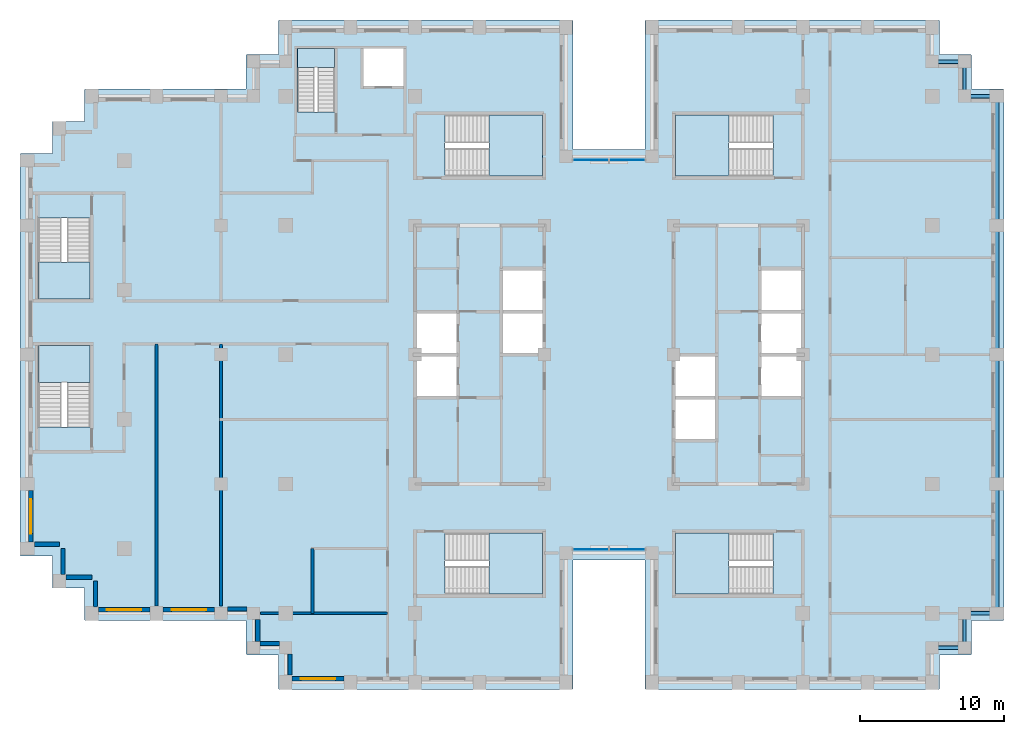
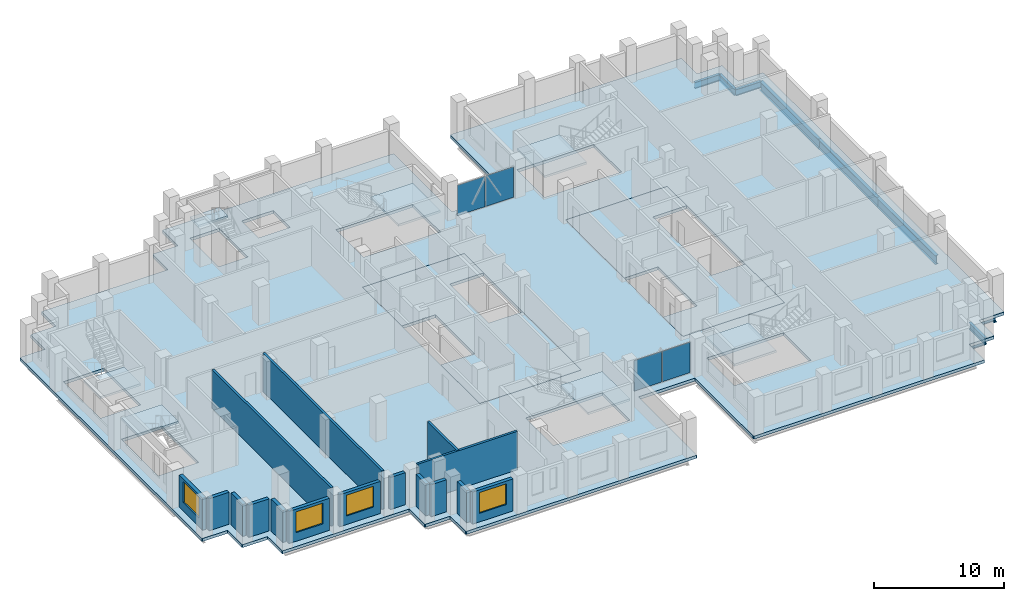
# One storey, part 5 of 15: 16 walls, 10 beams, 10 slabs, 4 plates, 4 windows, 4 openings, 9 elements without a shape of their own.
"""IFC4 building model written with IfcOpenShell, lengths in metres."""

from ifc_helpers import new_model, si_unit, direction, frame, frame_2d, origin, origin_2d, place, context, subcontext, project, spatial, polyline, rectangle, i_section, outline, extrude, material, layer, layer_set, material_profile, profile_set, type_object, element, fill, aggregate, save


model = new_model("IFC4")

# Units and contexts
model_context = context("Model", 3, precision=1e-05, world=origin(), true_north=direction((0.0, 1.0)))
body_context = subcontext(model_context, "Body", "Model", "MODEL_VIEW")
ifc_project = project(units=[si_unit("LENGTHUNIT", "METRE"), si_unit("AREAUNIT", "SQUARE_METRE"), si_unit("VOLUMEUNIT", "CUBIC_METRE"), si_unit("PLANEANGLEUNIT", "RADIAN"), si_unit("MASSUNIT", "GRAM", prefix="KILO")], contexts=[model_context])

# Site, building, storey
site_placement = place(None, origin())
site = spatial("IfcSite", under=ifc_project, at=site_placement, CompositionType="ELEMENT")
building_placement = place(site_placement, origin())
building = spatial("IfcBuilding", under=site, at=building_placement, Name="Corbelhall Arena Tower", CompositionType="ELEMENT")
storey_placement = place(building_placement, frame((0.0, 0.0, 232.0)))
storey = spatial("IfcBuildingStorey", under=building, at=storey_placement, Name="L49", CompositionType="ELEMENT", Elevation=232.0)

# Beams
ifc_material_1 = material(Name="Steel ASTM A992 Gr50", Category="steel")
ifc_material_profile_1 = material_profile(ifc_material_1, i_section(OverallWidth=0.228271484375, OverallDepth=0.607177734375, WebThickness=0.01123046875, FlangeThickness=0.017333984375, at=origin_2d()))
ifc_profile_set_1 = profile_set([ifc_material_profile_1], Name="Steel ASTM A992 Gr50")
beam_type_1 = type_object("IfcBeamType", Name="ST-SPANDREL-W24x76", PredefinedType="SPANDREL", material=ifc_profile_set_1)
for number, where, z_axis, x_axis, name in (
    (1, (27.0, -18.0, -0.58349609375), (-1.0, 0.0, 0.0), (0.0, -1.0, 0.0), "Beam SP 12"),
    (2, (22.5, 20.39990234375, -0.58349609375), (1.0, 0.0, 0.0), (0.0, 1.0, 0.0), "Beam SP 39"),
):
    element("IfcBeam", number, at=place(storey_placement, frame(where, z_axis=z_axis, x_axis=x_axis)), inside=storey, type_object=beam_type_1, Name=name, PredefinedType="SPANDREL", context=body_context, shape_type="SweptSolid", body=[
        extrude(i_section(OverallWidth=0.228271484375, OverallDepth=0.607177734375, WebThickness=0.01123046875, FlangeThickness=0.017333984375, at=origin_2d()), origin(), (0.0, 0.0, 1.0), 2.25),
    ])
beam_1_placement = place(storey_placement, frame((24.75, 20.39990234375, -0.58349609375), z_axis=(0.0, -1.0, 0.0), x_axis=(1.0, 0.0, 0.0)))
element("IfcBeam", 3, at=beam_1_placement, inside=storey, type_object=beam_type_1, Name="Beam SP 40", PredefinedType="SPANDREL", context=body_context, shape_type="SweptSolid", body=[
    extrude(i_section(OverallWidth=0.228271484375, OverallDepth=0.607177734375, WebThickness=0.01123046875, FlangeThickness=0.017333984375, at=origin_2d()), origin(), (0.0, 0.0, 1.0), 2.39990234375),
])
for number, where, z_axis, x_axis, name in (
    (4, (24.75, 18.0, -0.58349609375), (1.0, 0.0, 0.0), (0.0, 1.0, 0.0), "Beam SP 41"),
    (5, (24.75, -20.39990234375, -0.58349609375), (-1.0, 0.0, 0.0), (0.0, -1.0, 0.0), "Beam SP 46"),
):
    element("IfcBeam", number, at=place(storey_placement, frame(where, z_axis=z_axis, x_axis=x_axis)), inside=storey, type_object=beam_type_1, Name=name, PredefinedType="SPANDREL", context=body_context, shape_type="SweptSolid", body=[
        extrude(i_section(OverallWidth=0.228271484375, OverallDepth=0.607177734375, WebThickness=0.01123046875, FlangeThickness=0.017333984375, at=origin_2d()), origin(), (0.0, 0.0, 1.0), 2.25),
    ])
beam_2_placement = place(storey_placement, frame((24.75, -18.0, -0.58349609375), z_axis=(0.0, -1.0, 0.0), x_axis=(1.0, 0.0, 0.0)))
element("IfcBeam", 6, at=beam_2_placement, inside=storey, type_object=beam_type_1, Name="Beam SP 47", PredefinedType="SPANDREL", context=body_context, shape_type="SweptSolid", body=[
    extrude(i_section(OverallWidth=0.228271484375, OverallDepth=0.607177734375, WebThickness=0.01123046875, FlangeThickness=0.017333984375, at=origin_2d()), origin(), (0.0, 0.0, 1.0), 2.39990234375),
])
ifc_material_profile_2 = material_profile(ifc_material_1, i_section(OverallWidth=0.2919921875, OverallDepth=0.845703125, WebThickness=0.015380859375, FlangeThickness=0.0244140625, at=origin_2d()))
ifc_profile_set_2 = profile_set([ifc_material_profile_2], Name="Steel ASTM A992 Gr50")
beam_type_2 = type_object("IfcBeamType", Name="ST-SPANDREL-W33x141", PredefinedType="SPANDREL", material=ifc_profile_set_2)
for number, where, z_axis, x_axis, name in (
    (7, (27.0, 0.0, -0.702880859375), (0.0, -1.0, 0.0), (1.0, 0.0, 0.0), "Beam SP 8"),
    (8, (27.0, 9.0, -0.702880859375), (0.0, -1.0, 0.0), (1.0, 0.0, 0.0), "Beam SP 9"),
    (9, (27.0, 18.0, -0.702880859375), (0.0, -1.0, 0.0), (1.0, 0.0, 0.0), "Beam SP 10"),
    (10, (27.0, -9.0, -0.702880859375), (0.0, -1.0, 0.0), (1.0, 0.0, 0.0), "Beam SP 11"),
):
    element("IfcBeam", number, at=place(storey_placement, frame(where, z_axis=z_axis, x_axis=x_axis)), inside=storey, type_object=beam_type_2, Name=name, PredefinedType="SPANDREL", context=body_context, shape_type="SweptSolid", body=[
        extrude(i_section(OverallWidth=0.2919921875, OverallDepth=0.845703125, WebThickness=0.015380859375, FlangeThickness=0.0244140625, at=origin_2d()), origin(), (0.0, 0.0, 1.0), 9.0),
    ])

# Curtain wall, plates
ifc_material_2 = material(Name="Aluminium black anodised", Category="aluminium")
ifc_layer_1 = layer(ifc_material_2, 0.199951171875)
ifc_layer_set_1 = layer_set([ifc_layer_1], Name="EV-CW1 Slot back wall")
curtain_wall_type = type_object("IfcCurtainWallType", Name="EV-CW1 Slot back wall", PredefinedType="NOTDEFINED", material=ifc_layer_set_1)
curtain_wall_1_placement = place(storey_placement, origin())
curtain_wall_1 = element("IfcCurtainWall", 11, at=curtain_wall_1_placement, inside=storey, type_object=curtain_wall_type, Name="Curtain wall CW1", PredefinedType="NOTDEFINED")
ifc_material_3 = material(Name="Glass dark tinted laminated", Category="glass")
ifc_layer_2 = layer(ifc_material_3, 0.028076171875)
ifc_layer_set_2 = layer_set([ifc_layer_2], Name="EV-CW1-PANEL")
plate_type = type_object("IfcPlateType", Name="EV-CW1-PANEL", PredefinedType="CURTAIN_PANEL", material=ifc_layer_set_2)
plate_1_placement = place(storey_placement, frame((-1.25634765625, -13.550048828125, 0.074951171875), z_axis=(0.0, 0.0, 1.0), x_axis=(1.0, 0.0, 0.0)))
plate_1 = element("IfcPlate", 12, at=plate_1_placement, type_object=plate_type, Name="CW1 panel 1.1", PredefinedType="CURTAIN_PANEL", context=body_context, shape_type="SweptSolid", body=[
    extrude(rectangle(XDim=2.4375, YDim=0.028076171875, at=origin_2d()), origin(), (0.0, 0.0, 1.0), 2.849609375),
])
plate_2_placement = place(storey_placement, frame((1.25634765625, -13.550048828125, 0.074951171875), z_axis=(0.0, 0.0, 1.0), x_axis=(1.0, 0.0, 0.0)))
plate_2 = element("IfcPlate", 13, at=plate_2_placement, type_object=plate_type, Name="CW1 panel 2.1", PredefinedType="CURTAIN_PANEL", context=body_context, shape_type="SweptSolid", body=[
    extrude(rectangle(XDim=2.4375, YDim=0.028076171875, at=origin_2d()), origin(), (0.0, 0.0, 1.0), 2.849609375),
])
aggregate(curtain_wall_1, [plate_1, plate_2])

curtain_wall_2_placement = place(storey_placement, origin())
curtain_wall_2 = element("IfcCurtainWall", 14, at=curtain_wall_2_placement, inside=storey, type_object=curtain_wall_type, Name="Curtain wall CW1", PredefinedType="NOTDEFINED")
plate_3_placement = place(storey_placement, frame((1.25634765625, 13.550048828125, 0.074951171875), z_axis=(0.0, 0.0, 1.0), x_axis=(-1.0, 0.0, 0.0)))
plate_3 = element("IfcPlate", 15, at=plate_3_placement, type_object=plate_type, Name="CW1 panel 1.1", PredefinedType="CURTAIN_PANEL", context=body_context, shape_type="SweptSolid", body=[
    extrude(rectangle(XDim=2.4375, YDim=0.028076171875, at=origin_2d()), origin(), (0.0, 0.0, 1.0), 2.849609375),
])
plate_4_placement = place(storey_placement, frame((-1.25634765625, 13.550048828125, 0.074951171875), z_axis=(0.0, 0.0, 1.0), x_axis=(-1.0, 0.0, 0.0)))
plate_4 = element("IfcPlate", 16, at=plate_4_placement, type_object=plate_type, Name="CW1 panel 2.1", PredefinedType="CURTAIN_PANEL", context=body_context, shape_type="SweptSolid", body=[
    extrude(rectangle(XDim=2.4375, YDim=0.028076171875, at=origin_2d()), origin(), (0.0, 0.0, 1.0), 2.849609375),
])
aggregate(curtain_wall_2, [plate_3, plate_4])

# Slabs
ifc_material_4 = material(Name="Concrete C40/50", Category="concrete")
ifc_layer_3 = layer(ifc_material_4, 0.300048828125)
ifc_layer_set_3 = layer_set([ifc_layer_3], Name="IN-SL-CORE")
slab_type_1 = type_object("IfcSlabType", Name="IN-SL-CORE", PredefinedType="FLOOR", material=ifc_layer_set_3)
slab_1_placement = place(storey_placement, frame((0.0, 0.0, -0.280029296875)))
element("IfcSlab", 17, at=slab_1_placement, inside=storey, type_object=slab_type_1, Name="Core floor W", PredefinedType="FLOOR", context=body_context, shape_type="SweptSolid", body=[
    extrude(outline(polyline([(-10.5, -3.0), (-13.5, -3.0), (-13.5, -9.0), (-4.5, -9.0), (-4.5, 0.0), (-7.5, 0.0), (-7.5, 3.0), (-7.5, 6.0), (-4.5, 6.0), (-4.5, 9.0), (-13.5, 9.0), (-13.5, 3.0), (-10.5, 3.0), (-10.5, 0.0), (-10.5, -3.0)])), origin(), (0.0, 0.0, 1.0), 0.280029296875),
])
slab_2_placement = place(storey_placement, frame((0.0, 0.0, -0.280029296875)))
element("IfcSlab", 18, at=slab_2_placement, inside=storey, type_object=slab_type_1, Name="Core floor E", PredefinedType="FLOOR", context=body_context, shape_type="SweptSolid", body=[
    extrude(outline(polyline([(13.5, -3.0), (10.5, -3.0), (10.5, 0.0), (10.5, 3.0), (10.5, 6.0), (13.5, 6.0), (13.5, 9.0), (4.5, 9.0), (4.5, 0.0), (7.5, 0.0), (7.5, -3.0), (7.5, -6.0), (4.5, -6.0), (4.5, -9.0), (13.5, -9.0), (13.5, -3.0)])), origin(), (0.0, 0.0, 1.0), 0.280029296875),
])

# Stair, slab
stair_type = type_object("IfcStairType", Name="IN-ST-TOWER", PredefinedType="HALF_TURN_STAIR", material=ifc_material_4)
stair_1_placement = place(storey_placement, origin())
stair_1 = element("IfcStair", 19, at=stair_1_placement, inside=storey, type_object=stair_type, Name="L49 Exit stair ST1", PredefinedType="HALF_TURN_STAIR")
ifc_layer_4 = layer(ifc_material_4, 0.199951171875)
ifc_layer_set_4 = layer_set([ifc_layer_4], Name="IN-SL-LANDING")
slab_type_2 = type_object("IfcSlabType", Name="IN-SL-LANDING", PredefinedType="LANDING", material=ifc_layer_set_4)
slab_3_placement = place(storey_placement, frame((0.0, 0.0, 1.800048828125)))
slab_3 = element("IfcSlab", 20, at=slab_3_placement, type_object=slab_type_2, Name="ST1 landing 1", PredefinedType="LANDING", context=body_context, shape_type="SweptSolid", body=[
    extrude(outline(polyline([(-8.344970703125, 12.425048828125), (-4.625, 12.425048828125), (-4.625, 16.675048828125), (-8.344970703125, 16.675048828125), (-8.344970703125, 12.425048828125)])), origin(), (0.0, 0.0, 1.0), 0.199951171875),
])
aggregate(stair_1, [slab_3])

stair_2_placement = place(storey_placement, origin())
stair_2 = element("IfcStair", 21, at=stair_2_placement, inside=storey, type_object=stair_type, Name="L49 Exit stair ST2", PredefinedType="HALF_TURN_STAIR")
slab_4_placement = place(storey_placement, frame((0.0, 0.0, 1.800048828125)))
slab_4 = element("IfcSlab", 22, at=slab_4_placement, type_object=slab_type_2, Name="ST2 landing 1", PredefinedType="LANDING", context=body_context, shape_type="SweptSolid", body=[
    extrude(outline(polyline([(-8.344970703125, -16.675048828125), (-4.625, -16.675048828125), (-4.625, -12.425048828125), (-8.344970703125, -12.425048828125), (-8.344970703125, -16.675048828125)])), origin(), (0.0, 0.0, 1.0), 0.199951171875),
])
aggregate(stair_2, [slab_4])

stair_3_placement = place(storey_placement, origin())
stair_3 = element("IfcStair", 23, at=stair_3_placement, inside=storey, type_object=stair_type, Name="L49 Exit stair ST3", PredefinedType="HALF_TURN_STAIR")
slab_5_placement = place(storey_placement, frame((0.0, 0.0, 1.800048828125)))
slab_5 = element("IfcSlab", 24, at=slab_5_placement, type_object=slab_type_2, Name="ST3 landing 1", PredefinedType="LANDING", context=body_context, shape_type="SweptSolid", body=[
    extrude(outline(polyline([(8.344970703125, 16.675048828125), (4.625, 16.675048828125), (4.625, 12.425048828125), (8.344970703125, 12.425048828125), (8.344970703125, 16.675048828125)])), origin(), (0.0, 0.0, 1.0), 0.199951171875),
])
aggregate(stair_3, [slab_5])

stair_4_placement = place(storey_placement, origin())
stair_4 = element("IfcStair", 25, at=stair_4_placement, inside=storey, type_object=stair_type, Name="L49 Exit stair ST4", PredefinedType="HALF_TURN_STAIR")
slab_6_placement = place(storey_placement, frame((0.0, 0.0, 1.800048828125)))
slab_6 = element("IfcSlab", 26, at=slab_6_placement, type_object=slab_type_2, Name="ST4 landing 1", PredefinedType="LANDING", context=body_context, shape_type="SweptSolid", body=[
    extrude(outline(polyline([(8.344970703125, -12.425048828125), (4.625, -12.425048828125), (4.625, -16.675048828125), (8.344970703125, -16.675048828125), (8.344970703125, -12.425048828125)])), origin(), (0.0, 0.0, 1.0), 0.199951171875),
])
aggregate(stair_4, [slab_6])

stair_5_placement = place(storey_placement, origin())
stair_5 = element("IfcStair", 27, at=stair_5_placement, inside=storey, type_object=stair_type, Name="L49 Exit stair SC1", PredefinedType="HALF_TURN_STAIR")
slab_7_placement = place(storey_placement, frame((0.0, 0.0, 1.800048828125)))
slab_7 = element("IfcSlab", 28, at=slab_7_placement, type_object=slab_type_2, Name="SC1 landing 1", PredefinedType="LANDING", context=body_context, shape_type="SweptSolid", body=[
    extrude(outline(polyline([(-39.699951171875, 6.445068359375), (-39.699951171875, 3.875), (-36.125, 3.875), (-36.125, 6.445068359375), (-39.699951171875, 6.445068359375)])), origin(), (0.0, 0.0, 1.0), 0.199951171875),
])
aggregate(stair_5, [slab_7])

stair_6_placement = place(storey_placement, origin())
stair_6 = element("IfcStair", 29, at=stair_6_placement, inside=storey, type_object=stair_type, Name="L49 Exit stair SC2", PredefinedType="HALF_TURN_STAIR")
slab_8_placement = place(storey_placement, frame((0.0, 0.0, 1.800048828125)))
slab_8 = element("IfcSlab", 30, at=slab_8_placement, type_object=slab_type_2, Name="SC2 landing 1", PredefinedType="LANDING", context=body_context, shape_type="SweptSolid", body=[
    extrude(outline(polyline([(-36.125, -1.945068359375), (-36.125, 0.625), (-39.699951171875, 0.625), (-39.699951171875, -1.945068359375), (-36.125, -1.945068359375)])), origin(), (0.0, 0.0, 1.0), 0.199951171875),
])
aggregate(stair_6, [slab_8])

stair_7_placement = place(storey_placement, origin())
stair_7 = element("IfcStair", 31, at=stair_7_placement, inside=storey, type_object=stair_type, Name="L49 Exit stair ST5", PredefinedType="HALF_TURN_STAIR")
slab_9_placement = place(storey_placement, frame((0.0, 0.0, 1.800048828125)))
slab_9 = element("IfcSlab", 32, at=slab_9_placement, type_object=slab_type_2, Name="ST5 landing 1", PredefinedType="LANDING", context=body_context, shape_type="SweptSolid", body=[
    extrude(outline(polyline([(-19.094970703125, 19.97998046875), (-19.094970703125, 21.300048828125), (-21.695068359375, 21.300048828125), (-21.695068359375, 19.97998046875), (-19.094970703125, 19.97998046875)])), origin(), (0.0, 0.0, 1.0), 0.199951171875),
])
aggregate(stair_7, [slab_9])

# Slab
ifc_layer_5 = layer(ifc_material_4, 0.280029296875)
ifc_layer_set_5 = layer_set([ifc_layer_5], Name="ST-SLAB-FLOOR-280")
slab_type_3 = type_object("IfcSlabType", Name="ST-SLAB-FLOOR-280", PredefinedType="FLOOR", material=ifc_layer_set_5)
slab_10_placement = place(storey_placement, frame((0.0, 0.0, -0.280029296875)))
element("IfcSlab", 33, at=slab_10_placement, inside=storey, type_object=slab_type_3, Name="Floor slab L49 1", PredefinedType="FLOOR", context=body_context, shape_type="SweptSolid", body=[
    extrude(outline(polyline([(23.0, 23.25), (22.949951171875, 23.300048828125), (2.550048828125, 23.300048828125), (2.5, 23.25), (2.5, 14.300048828125), (-2.5, 14.300048828125), (-2.5, 23.25), (-2.550048828125, 23.300048828125), (-22.949951171875, 23.300048828125), (-23.0, 23.25), (-23.0, 20.89990234375), (-25.199951171875, 20.89990234375), (-25.25, 20.85009765625), (-25.25, 18.5), (-36.449951171875, 18.5), (-36.5, 18.449951171875), (-36.5, 16.25), (-38.699951171875, 16.25), (-38.75, 16.199951171875), (-38.75, 14.0), (-40.949951171875, 14.0), (-41.0, 13.949951171875), (-41.0, -13.949951171875), (-40.949951171875, -14.0), (-38.75, -14.0), (-38.75, -16.199951171875), (-38.699951171875, -16.25), (-36.5, -16.25), (-36.5, -18.449951171875), (-36.449951171875, -18.5), (-25.25, -18.5), (-25.25, -20.85009765625), (-25.199951171875, -20.89990234375), (-23.0, -20.89990234375), (-23.0, -23.25), (-22.949951171875, -23.300048828125), (-2.550048828125, -23.300048828125), (-2.5, -23.25), (-2.5, -14.300048828125), (2.5, -14.300048828125), (2.5, -23.25), (2.550048828125, -23.300048828125), (22.949951171875, -23.300048828125), (23.0, -23.25), (23.0, -20.89990234375), (25.199951171875, -20.89990234375), (25.25, -20.85009765625), (25.25, -18.5), (27.449951171875, -18.5), (27.5, -18.449951171875), (27.5, 18.449951171875), (27.449951171875, 18.5), (25.25, 18.5), (25.25, 20.85009765625), (25.199951171875, 20.89990234375), (23.0, 20.89990234375), (23.0, 23.25)]), holes=[polyline([(-4.5, -9.0), (-4.5, 9.0), (-13.5, 9.0), (-13.5, -9.0), (-4.5, -9.0)]), polyline([(13.5, -9.0), (13.5, 9.0), (4.5, 9.0), (4.5, -9.0), (13.5, -9.0)]), polyline([(-11.422119140625, 12.425048828125), (-4.625, 12.425048828125), (-4.625, 16.675048828125), (-11.422119140625, 16.675048828125), (-11.422119140625, 12.425048828125)]), polyline([(-11.422119140625, -12.425048828125), (-11.422119140625, -16.675048828125), (-4.625, -16.675048828125), (-4.625, -12.425048828125), (-11.422119140625, -12.425048828125)]), polyline([(4.625, 12.425048828125), (11.422119140625, 12.425048828125), (11.422119140625, 16.675048828125), (4.625, 16.675048828125), (4.625, 12.425048828125)]), polyline([(4.625, -12.425048828125), (4.625, -16.675048828125), (11.422119140625, -16.675048828125), (11.422119140625, -12.425048828125), (4.625, -12.425048828125)]), polyline([(-39.699951171875, 9.52197265625), (-39.699951171875, 3.875), (-36.125, 3.875), (-36.125, 9.52197265625), (-39.699951171875, 9.52197265625)]), polyline([(-39.699951171875, -5.02197265625), (-36.125, -5.02197265625), (-36.125, 0.625), (-39.699951171875, 0.625), (-39.699951171875, -5.02197265625)]), polyline([(-21.695068359375, 21.300048828125), (-21.695068359375, 16.903076171875), (-19.094970703125, 16.903076171875), (-19.094970703125, 21.300048828125), (-21.695068359375, 21.300048828125)]), polyline([(-14.300048828125, 21.300048828125), (-17.10009765625, 21.300048828125), (-17.10009765625, 18.699951171875), (-14.300048828125, 18.699951171875), (-14.300048828125, 21.300048828125)])]), origin(), (0.0, 0.0, 1.0), 0.280029296875),
])

# Walls
ifc_material_5 = material(Name="Precast concrete C40/50 with granite facing", Category="masonry")
ifc_layer_6 = layer(ifc_material_5, 0.300048828125)
ifc_layer_set_6 = layer_set([ifc_layer_6], Name="EV-IW1 Infill panel 300")
wall_type_1 = type_object("IfcWallType", Name="EV-IW1 Infill panel 300", PredefinedType="SOLIDWALL", material=ifc_layer_set_6)
wall_1_placement = place(storey_placement, frame((-40.0, -13.199951171875, 0.0), z_axis=(0.0, 0.0, 1.0), x_axis=(1.0, 0.0, 0.0)))
element("IfcWall", 34, at=wall_1_placement, inside=storey, type_object=wall_type_1, Name="Infill panel IW1", PredefinedType="SOLIDWALL", context=body_context, shape_type="SweptSolid", body=[
    extrude(rectangle(XDim=1.75, YDim=0.300048828125, at=frame_2d((0.875, 0.0))), origin(), (0.0, 0.0, 1.0), 2.99951171875),
])
for number, where, z_axis, x_axis, name in (
    (35, (-38.0, -15.300048828125, 0.0), (0.0, 0.0, 1.0), (0.0, 1.0, 0.0), "Infill panel IW1"),
    (36, (-37.800048828125, -15.5, 0.0), (0.0, 0.0, 1.0), (1.0, 0.0, 0.0), "Infill panel IW1"),
    (37, (-35.75, -17.550048828125, 0.0), (0.0, 0.0, 1.0), (0.0, 1.0, 0.0), "Infill panel IW1"),
):
    element("IfcWall", number, at=place(storey_placement, frame(where, z_axis=z_axis, x_axis=x_axis)), inside=storey, type_object=wall_type_1, Name=name, PredefinedType="SOLIDWALL", context=body_context, shape_type="SweptSolid", body=[
        extrude(rectangle(XDim=1.800048828125, YDim=0.300048828125, at=frame_2d((0.89990234375, 0.0))), origin(), (0.0, 0.0, 1.0), 2.99951171875),
    ])

# Wall, opening, window
wall_2_placement = place(storey_placement, frame((-40.25, -9.449951171875, 0.0), z_axis=(0.0, 0.0, 1.0), x_axis=(0.0, -1.0, 0.0)))
wall_2 = element("IfcWall", 38, at=wall_2_placement, inside=storey, type_object=wall_type_1, Name="Infill panel IW1", PredefinedType="SOLIDWALL", context=body_context, shape_type="SweptSolid", body=[
    extrude(rectangle(XDim=3.60009765625, YDim=0.300048828125, at=frame_2d((1.800048828125, 0.0))), origin(), (0.0, 0.0, 1.0), 2.99951171875),
])
opening_1_placement = place(wall_2_placement, frame((0.60009765625, 0.0, 0.800048828125)))
opening_1 = element("IfcOpeningElement", 39, at=opening_1_placement, cuts=wall_2, Name="Opening WN1", PredefinedType="OPENING", context=body_context, shape_type="SweptSolid", body=[
    extrude(rectangle(XDim=2.39990234375, YDim=1.949951171875, at=frame_2d((1.199951171875, 0.97509765625))), frame((0.0, 0.14990234375, 0.0), z_axis=(0.0, -1.0, 0.0), x_axis=(1.0, 0.0, 0.0)), (0.0, 0.0, 1.0), 0.300048828125),
])
window_type = type_object("IfcWindowType", Name="EV-WN1 Office window", PartitioningType="SINGLE_PANEL", PredefinedType="WINDOW", material=ifc_material_2)
window_1_placement = place(opening_1_placement, origin())
window_1 = element("IfcWindow", 40, at=window_1_placement, inside=storey, type_object=window_type, Name="Window WN1", OverallHeight=1.949951171875, OverallWidth=2.39990234375, PartitioningType="SINGLE_PANEL", PredefinedType="WINDOW", context=body_context, shape_type="SweptSolid", body=[
    extrude(rectangle(XDim=2.39990234375, YDim=1.949951171875, at=frame_2d((1.199951171875, 0.97509765625))), frame((0.0, 0.030029296875, 0.0), z_axis=(0.0, -1.0, 0.0), x_axis=(1.0, 0.0, 0.0)), (0.0, 0.0, 1.0), 0.06005859375),
])
fill(opening_1, window_1)

wall_3_placement = place(storey_placement, frame((-35.550048828125, -17.75, 0.0), z_axis=(0.0, 0.0, 1.0), x_axis=(1.0, 0.0, 0.0)))
wall_3 = element("IfcWall", 41, at=wall_3_placement, inside=storey, type_object=wall_type_1, Name="Infill panel IW1", PredefinedType="SOLIDWALL", context=body_context, shape_type="SweptSolid", body=[
    extrude(rectangle(XDim=3.60009765625, YDim=0.300048828125, at=frame_2d((1.800048828125, 0.0))), origin(), (0.0, 0.0, 1.0), 2.99951171875),
])
opening_2_placement = place(wall_3_placement, frame((0.60009765625, 0.0, 0.800048828125)))
opening_2 = element("IfcOpeningElement", 42, at=opening_2_placement, cuts=wall_3, Name="Opening WN1", PredefinedType="OPENING", context=body_context, shape_type="SweptSolid", body=[
    extrude(rectangle(XDim=2.39990234375, YDim=1.949951171875, at=frame_2d((1.199951171875, 0.97509765625))), frame((0.0, 0.14990234375, 0.0), z_axis=(0.0, -1.0, 0.0), x_axis=(1.0, 0.0, 0.0)), (0.0, 0.0, 1.0), 0.300048828125),
])
window_2_placement = place(opening_2_placement, origin())
window_2 = element("IfcWindow", 43, at=window_2_placement, inside=storey, type_object=window_type, Name="Window WN1", OverallHeight=1.949951171875, OverallWidth=2.39990234375, PartitioningType="SINGLE_PANEL", PredefinedType="WINDOW", context=body_context, shape_type="SweptSolid", body=[
    extrude(rectangle(XDim=2.39990234375, YDim=1.949951171875, at=frame_2d((1.199951171875, 0.97509765625))), frame((0.0, 0.030029296875, 0.0), z_axis=(0.0, -1.0, 0.0), x_axis=(1.0, 0.0, 0.0)), (0.0, 0.0, 1.0), 0.06005859375),
])
fill(opening_2, window_2)

wall_4_placement = place(storey_placement, frame((-31.050048828125, -17.75, 0.0), z_axis=(0.0, 0.0, 1.0), x_axis=(1.0, 0.0, 0.0)))
wall_4 = element("IfcWall", 44, at=wall_4_placement, inside=storey, type_object=wall_type_1, Name="Infill panel IW1", PredefinedType="SOLIDWALL", context=body_context, shape_type="SweptSolid", body=[
    extrude(rectangle(XDim=3.60009765625, YDim=0.300048828125, at=frame_2d((1.800048828125, 0.0))), origin(), (0.0, 0.0, 1.0), 2.99951171875),
])
opening_3_placement = place(wall_4_placement, frame((0.60009765625, 0.0, 0.800048828125)))
opening_3 = element("IfcOpeningElement", 45, at=opening_3_placement, cuts=wall_4, Name="Opening WN1", PredefinedType="OPENING", context=body_context, shape_type="SweptSolid", body=[
    extrude(rectangle(XDim=2.39990234375, YDim=1.949951171875, at=frame_2d((1.199951171875, 0.97509765625))), frame((0.0, 0.14990234375, 0.0), z_axis=(0.0, -1.0, 0.0), x_axis=(1.0, 0.0, 0.0)), (0.0, 0.0, 1.0), 0.300048828125),
])
window_3_placement = place(opening_3_placement, origin())
window_3 = element("IfcWindow", 46, at=window_3_placement, inside=storey, type_object=window_type, Name="Window WN1", OverallHeight=1.949951171875, OverallWidth=2.39990234375, PartitioningType="SINGLE_PANEL", PredefinedType="WINDOW", context=body_context, shape_type="SweptSolid", body=[
    extrude(rectangle(XDim=2.39990234375, YDim=1.949951171875, at=frame_2d((1.199951171875, 0.97509765625))), frame((0.0, 0.030029296875, 0.0), z_axis=(0.0, -1.0, 0.0), x_axis=(1.0, 0.0, 0.0)), (0.0, 0.0, 1.0), 0.06005859375),
])
fill(opening_3, window_3)

# Walls
wall_5_placement = place(storey_placement, frame((-26.550048828125, -17.699951171875, 0.0), z_axis=(0.0, 0.0, 1.0), x_axis=(1.0, 0.0, 0.0)))
element("IfcWall", 47, at=wall_5_placement, inside=storey, type_object=wall_type_1, Name="Infill panel IW1", PredefinedType="SOLIDWALL", context=body_context, shape_type="SweptSolid", body=[
    extrude(rectangle(XDim=1.35009765625, YDim=0.300048828125, at=frame_2d((0.675048828125, 0.0))), origin(), (0.0, 0.0, 1.0), 2.99951171875),
])
wall_6_placement = place(storey_placement, frame((-24.449951171875, -18.449951171875, 0.0), z_axis=(0.0, 0.0, 1.0), x_axis=(0.0, -1.0, 0.0)))
element("IfcWall", 48, at=wall_6_placement, inside=storey, type_object=wall_type_1, Name="Infill panel IW1", PredefinedType="SOLIDWALL", context=body_context, shape_type="SweptSolid", body=[
    extrude(rectangle(XDim=1.5, YDim=0.300048828125, at=frame_2d((0.75, 0.0))), origin(), (0.0, 0.0, 1.0), 2.99951171875),
])
wall_7_placement = place(storey_placement, frame((-24.300048828125, -20.10009765625, 0.0), z_axis=(0.0, 0.0, 1.0), x_axis=(1.0, 0.0, 0.0)))
element("IfcWall", 49, at=wall_7_placement, inside=storey, type_object=wall_type_1, Name="Infill panel IW1", PredefinedType="SOLIDWALL", context=body_context, shape_type="SweptSolid", body=[
    extrude(rectangle(XDim=1.35009765625, YDim=0.300048828125, at=frame_2d((0.675048828125, 0.0))), origin(), (0.0, 0.0, 1.0), 2.99951171875),
])
wall_8_placement = place(storey_placement, frame((-22.199951171875, -20.85009765625, 0.0), z_axis=(0.0, 0.0, 1.0), x_axis=(0.0, -1.0, 0.0)))
element("IfcWall", 50, at=wall_8_placement, inside=storey, type_object=wall_type_1, Name="Infill panel IW1", PredefinedType="SOLIDWALL", context=body_context, shape_type="SweptSolid", body=[
    extrude(rectangle(XDim=1.449951171875, YDim=0.300048828125, at=frame_2d((0.72509765625, 0.0))), origin(), (0.0, 0.0, 1.0), 2.99951171875),
])

# Wall, opening, window
wall_9_placement = place(storey_placement, frame((-22.050048828125, -22.550048828125, 0.0), z_axis=(0.0, 0.0, 1.0), x_axis=(1.0, 0.0, 0.0)))
wall_9 = element("IfcWall", 51, at=wall_9_placement, inside=storey, type_object=wall_type_1, Name="Infill panel IW1", PredefinedType="SOLIDWALL", context=body_context, shape_type="SweptSolid", body=[
    extrude(rectangle(XDim=3.60009765625, YDim=0.300048828125, at=frame_2d((1.800048828125, 0.0))), origin(), (0.0, 0.0, 1.0), 2.99951171875),
])
opening_4_placement = place(wall_9_placement, frame((0.60009765625, 0.0, 0.800048828125)))
opening_4 = element("IfcOpeningElement", 52, at=opening_4_placement, cuts=wall_9, Name="Opening WN1", PredefinedType="OPENING", context=body_context, shape_type="SweptSolid", body=[
    extrude(rectangle(XDim=2.39990234375, YDim=1.949951171875, at=frame_2d((1.199951171875, 0.97509765625))), frame((0.0, 0.14990234375, 0.0), z_axis=(0.0, -1.0, 0.0), x_axis=(1.0, 0.0, 0.0)), (0.0, 0.0, 1.0), 0.300048828125),
])
window_4_placement = place(opening_4_placement, origin())
window_4 = element("IfcWindow", 53, at=window_4_placement, inside=storey, type_object=window_type, Name="Window WN1", OverallHeight=1.949951171875, OverallWidth=2.39990234375, PartitioningType="SINGLE_PANEL", PredefinedType="WINDOW", context=body_context, shape_type="SweptSolid", body=[
    extrude(rectangle(XDim=2.39990234375, YDim=1.949951171875, at=frame_2d((1.199951171875, 0.97509765625))), frame((0.0, 0.030029296875, 0.0), z_axis=(0.0, -1.0, 0.0), x_axis=(1.0, 0.0, 0.0)), (0.0, 0.0, 1.0), 0.06005859375),
])
fill(opening_4, window_4)

# Walls
ifc_material_6 = material(Name="Gypsum board on steel stud, acoustic", Category="steel")
ifc_layer_7 = layer(ifc_material_6, 0.199951171875)
ifc_layer_set_7 = layer_set([ifc_layer_7], Name="IN-W-DM200")
wall_type_2 = type_object("IfcWallType", Name="IN-W-DM200", PredefinedType="PARTITIONING", material=ifc_layer_set_7)
for number, where, z_axis, x_axis, name in (
    (54, (-31.5, 0.75, 0.0), (0.0, 0.0, 1.0), (0.0, -1.0, 0.0), "Partition 006"),
    (55, (-27.0, -17.5, 0.0), (0.0, 0.0, 1.0), (0.0, 1.0, 0.0), "Partition 010"),
):
    element("IfcWall", number, at=place(storey_placement, frame(where, z_axis=z_axis, x_axis=x_axis)), inside=storey, type_object=wall_type_2, Name=name, PredefinedType="PARTITIONING", context=body_context, shape_type="SweptSolid", body=[
        extrude(rectangle(XDim=18.25, YDim=0.199951171875, at=frame_2d((9.125, 0.0))), origin(), (0.0, 0.0, 1.0), 3.599609375),
    ])
wall_10_placement = place(storey_placement, frame((-24.25, -18.0, 0.0), z_axis=(0.0, 0.0, 1.0), x_axis=(1.0, 0.0, 0.0)))
element("IfcWall", 56, at=wall_10_placement, inside=storey, type_object=wall_type_2, Name="Partition 012", PredefinedType="PARTITIONING", context=body_context, shape_type="SweptSolid", body=[
    extrude(rectangle(XDim=8.85009765625, YDim=0.199951171875, at=frame_2d((4.425048828125, 0.0))), origin(), (0.0, 0.0, 1.0), 3.599609375),
])
wall_11_placement = place(storey_placement, frame((-20.64990234375, -18.0, 0.0), z_axis=(0.0, 0.0, 1.0), x_axis=(0.0, 1.0, 0.0)))
element("IfcWall", 57, at=wall_11_placement, inside=storey, type_object=wall_type_2, Name="Partition 015", PredefinedType="PARTITIONING", context=body_context, shape_type="SweptSolid", body=[
    extrude(rectangle(XDim=4.5, YDim=0.199951171875, at=frame_2d((2.25, 0.0))), origin(), (0.0, 0.0, 1.0), 3.599609375),
])

save(model, "model.ifc")
